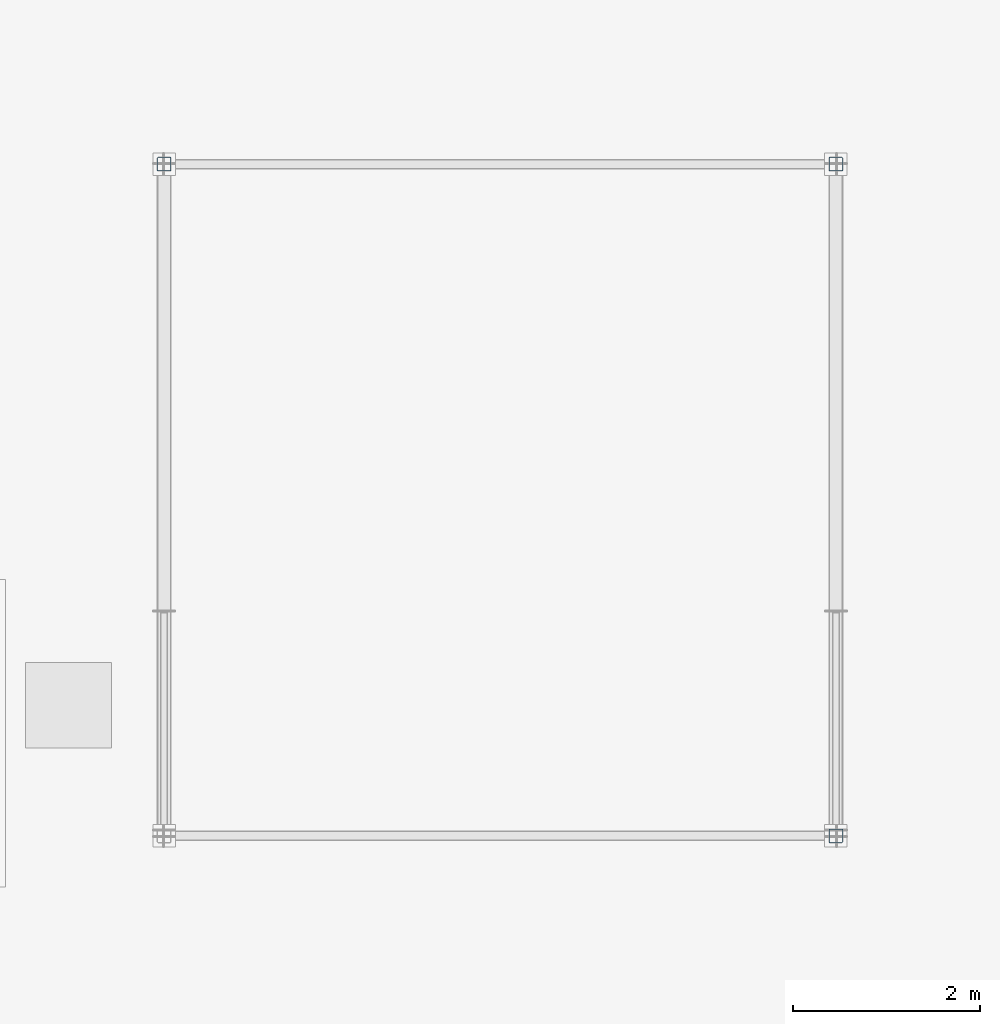
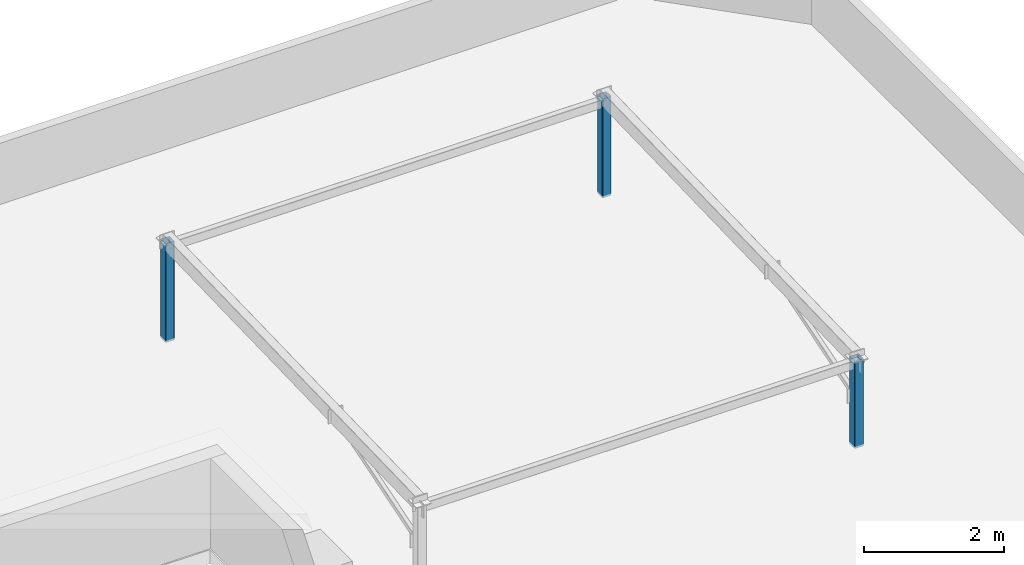
# One storey, part 2 of 7: 3 columns.
"""IFC4 building model written with IfcOpenShell, lengths in metres."""

from ifc_helpers import new_model, si_unit, direction, frame, origin, origin_2d, place, context, subcontext, project, spatial, hollow_rectangle, extrude, material, material_profile, profile_set, type_object, element, save


model = new_model("IFC4")

# Units and contexts
model_context = context("Model", 3, precision=1e-05, world=origin(), true_north=direction((0.0, 1.0)))
body_context = subcontext(model_context, "Body", "Model", "MODEL_VIEW")
ifc_project = project(units=[si_unit("LENGTHUNIT", "METRE"), si_unit("AREAUNIT", "SQUARE_METRE"), si_unit("VOLUMEUNIT", "CUBIC_METRE"), si_unit("PLANEANGLEUNIT", "RADIAN"), si_unit("MASSUNIT", "GRAM", prefix="KILO")], contexts=[model_context])

# Site, building, storey
site_placement = place(None, origin())
site = spatial("IfcSite", under=ifc_project, at=site_placement, CompositionType="ELEMENT")
building_placement = place(site_placement, origin())
building = spatial("IfcBuilding", under=site, at=building_placement, Name="Ochrevale Crest", CompositionType="ELEMENT")
storey_placement = place(building_placement, frame((0.0, 0.0, 52.800048828125)))
storey = spatial("IfcBuildingStorey", under=building, at=storey_placement, Name="RF", CompositionType="ELEMENT", Elevation=52.800048828125)

# Columns
ifc_material = material(Name="Steel S355", Category="steel")
ifc_material_profile = material_profile(ifc_material, hollow_rectangle(XDim=0.14990234375, YDim=0.14990234375, WallThickness=0.006103515625, InnerFilletRadius=0.006103515625, OuterFilletRadius=0.011962890625, at=origin_2d()), Name="150x150x6.0SHS")
ifc_profile_set = profile_set([ifc_material_profile], Name="Steel S355")
column_type = type_object("IfcColumnType", Name="COL-SHS150", PredefinedType="COLUMN", material=ifc_profile_set)
column_1_placement = place(storey_placement, frame((151.199951171875, 86.39990234375, 0.0), z_axis=(0.0, 0.0, 1.0), x_axis=(1.0, 0.0, 0.0)))
element("IfcColumn", 1, at=column_1_placement, inside=storey, type_object=column_type, Name="Block D solar-frame support post", PredefinedType="COLUMN", context=body_context, shape_type="SweptSolid", body=[
    extrude(hollow_rectangle(XDim=0.14990234375, YDim=0.14990234375, WallThickness=0.006103515625, InnerFilletRadius=0.006103515625, OuterFilletRadius=0.011962890625, at=origin_2d()), origin(), (0.0, 0.0, 1.0), 1.719970703125),
])
column_2_placement = place(storey_placement, frame((158.39990234375, 79.199951171875, 0.0), z_axis=(0.0, 0.0, 1.0), x_axis=(1.0, 0.0, 0.0)))
element("IfcColumn", 2, at=column_2_placement, inside=storey, type_object=column_type, Name="Block D solar-frame support post", PredefinedType="COLUMN", context=body_context, shape_type="SweptSolid", body=[
    extrude(hollow_rectangle(XDim=0.14990234375, YDim=0.14990234375, WallThickness=0.006103515625, InnerFilletRadius=0.006103515625, OuterFilletRadius=0.011962890625, at=origin_2d()), origin(), (0.0, 0.0, 1.0), 1.52001953125),
])
column_3_placement = place(storey_placement, frame((158.39990234375, 86.39990234375, 0.0), z_axis=(0.0, 0.0, 1.0), x_axis=(1.0, 0.0, 0.0)))
element("IfcColumn", 3, at=column_3_placement, inside=storey, type_object=column_type, Name="Block D solar-frame support post", PredefinedType="COLUMN", context=body_context, shape_type="SweptSolid", body=[
    extrude(hollow_rectangle(XDim=0.14990234375, YDim=0.14990234375, WallThickness=0.006103515625, InnerFilletRadius=0.006103515625, OuterFilletRadius=0.011962890625, at=origin_2d()), origin(), (0.0, 0.0, 1.0), 1.719970703125),
])

save(model, "model.ifc")
